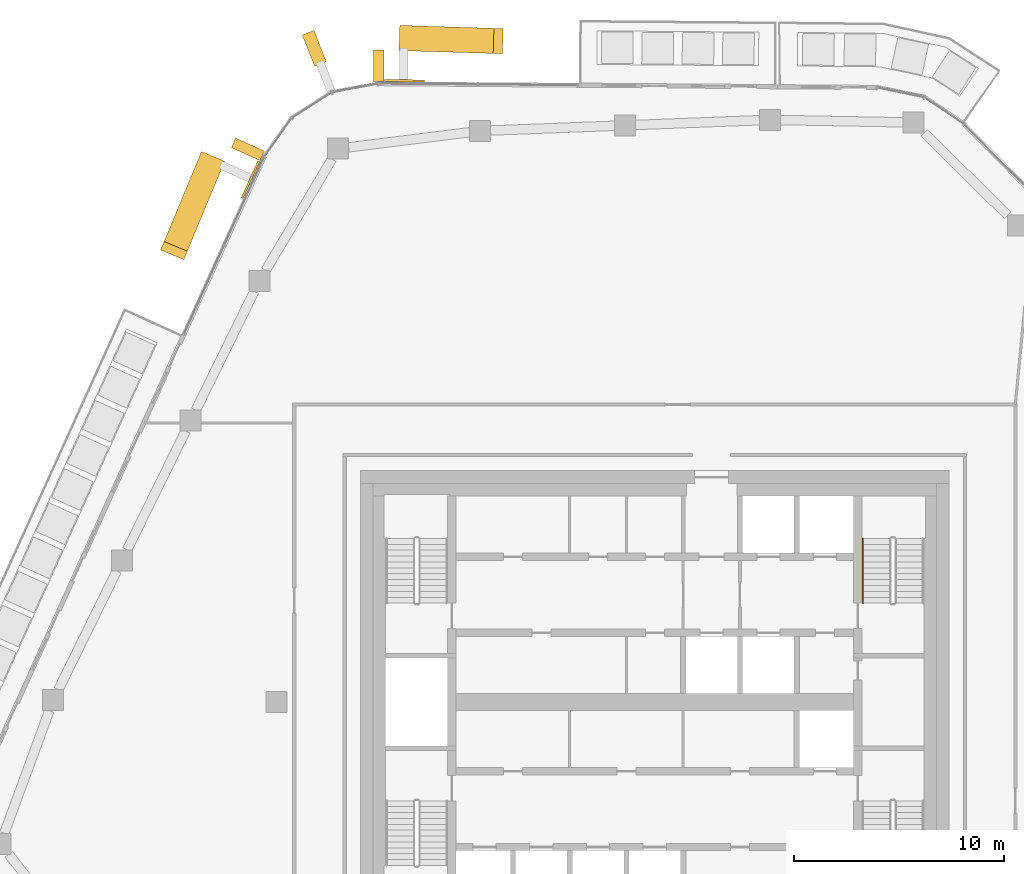
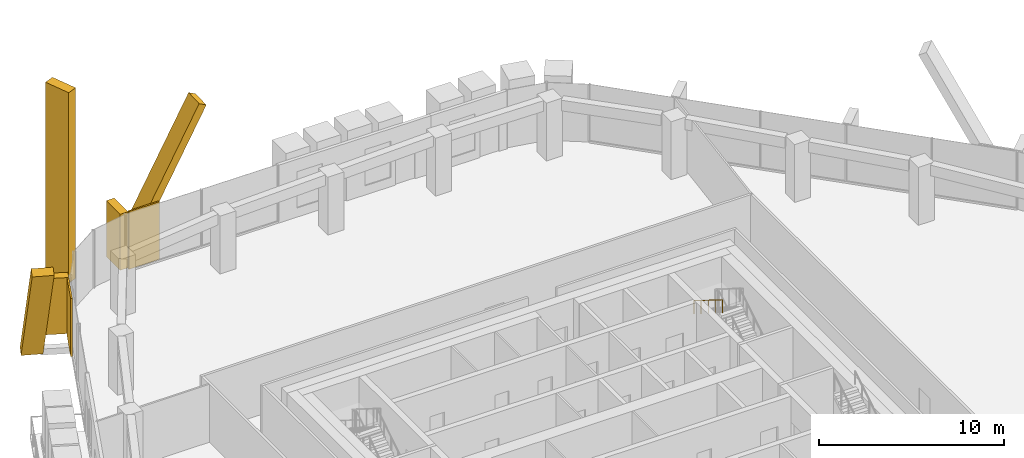
# One storey, part 21 of 23: 7 coverings, 1 railing, 3 elements without a shape of their own.
"""IFC4 building model written with IfcOpenShell, lengths in metres."""

from ifc_helpers import new_model, si_unit, direction, frame, origin, origin_2d, place, context, subcontext, project, spatial, rectangle, circle, extrude, material, layer, layer_set, material_profile, profile_set, type_object, element, aggregate, save


model = new_model("IFC4")

# Units and contexts
model_context = context("Model", 3, precision=1e-05, world=origin(), true_north=direction((0.0, 1.0)))
body_context = subcontext(model_context, "Body", "Model", "MODEL_VIEW")
ifc_project = project(units=[si_unit("LENGTHUNIT", "METRE"), si_unit("AREAUNIT", "SQUARE_METRE"), si_unit("VOLUMEUNIT", "CUBIC_METRE"), si_unit("PLANEANGLEUNIT", "RADIAN"), si_unit("MASSUNIT", "GRAM", prefix="KILO")], contexts=[model_context])

# Site, building, storey
site_placement = place(None, origin())
site = spatial("IfcSite", under=ifc_project, at=site_placement, CompositionType="ELEMENT")
building_placement = place(site_placement, origin())
building = spatial("IfcBuilding", under=site, at=building_placement, Name="Dongbaek Canopy Tower", CompositionType="ELEMENT")
storey_placement = place(building_placement, frame((0.0, 0.0, 319.39990234375)))
storey = spatial("IfcBuildingStorey", under=building, at=storey_placement, Name="L68", CompositionType="ELEMENT", Elevation=319.39990234375)

# Curtain wall, covering
ifc_material_1 = material(Name="Aluminium 6063-T6 pale anodised", Category="aluminium")
ifc_layer_1 = layer(ifc_material_1, 0.199951171875)
ifc_layer_set_1 = layer_set([ifc_layer_1], Name="CW-1 unitised tower curtain wall")
curtain_wall_type = type_object("IfcCurtainWallType", Name="CW-1 unitised tower curtain wall", PredefinedType="NOTDEFINED", material=ifc_layer_set_1)
curtain_wall_1_placement = place(storey_placement, origin())
curtain_wall_1 = element("IfcCurtainWall", 1, at=curtain_wall_1_placement, inside=storey, type_object=curtain_wall_type, Name="CW-1 curtain wall K2.1", PredefinedType="NOTDEFINED")
ifc_material_2 = material(Name="Aluminium 6063-T6 pale metal fin", Category="aluminium")
ifc_material_profile_1 = material_profile(ifc_material_2, rectangle(XDim=1.60009765625, YDim=0.60009765625, at=origin_2d()), Name="Corner fin CN1 600 x 1600 pale metal")
ifc_profile_set_1 = profile_set([ifc_material_profile_1], Name="Aluminium 6063-T6 pale metal fin")
covering_type_1 = type_object("IfcCoveringType", Name="Corner fin CN1 600 x 1600 pale metal", PredefinedType="CLADDING", material=ifc_profile_set_1)
covering_1_placement = place(storey_placement, frame((-16.19921875, 31.093505859375, -0.18994140625), z_axis=(0.0, 0.0, 1.0), x_axis=(-0.367962270469, 0.929840721582, 0.0)))
covering_1 = element("IfcCovering", 2, at=covering_1_placement, type_object=covering_type_1, Name="Corner fin L68 L70 K2", PredefinedType="CLADDING", context=body_context, shape_type="SweptSolid", body=[
    extrude(rectangle(XDim=1.60009765625, YDim=0.60009765625, at=origin_2d()), origin(), (0.0, 0.0, 1.0), 12.580078125),
])
aggregate(curtain_wall_1, [covering_1])

curtain_wall_2_placement = place(storey_placement, origin())
curtain_wall_2 = element("IfcCurtainWall", 3, at=curtain_wall_2_placement, inside=storey, type_object=curtain_wall_type, Name="CW-1 curtain wall F1.1", PredefinedType="NOTDEFINED")
ifc_material_3 = material(Name="Aluminium 6063-T6 pale metal fin", Category="aluminium")
ifc_material_profile_2 = material_profile(ifc_material_3, rectangle(XDim=1.199951171875, YDim=0.5, at=origin_2d()), Name="Crease fin CF1 500 x 1200 pale metal")
ifc_profile_set_2 = profile_set([ifc_material_profile_2], Name="Aluminium 6063-T6 pale metal fin")
covering_type_2 = type_object("IfcCoveringType", Name="Crease fin CF1 500 x 1200 pale metal", PredefinedType="CLADDING", material=ifc_profile_set_2)
covering_2_placement = place(storey_placement, frame((-11.928466796875, 31.578369140625, -0.18994140625), z_axis=(0.470391263064, -0.014463319652, 0.882339431295), x_axis=(0.030732900013, 0.999527632863, 0.0)))
covering_2 = element("IfcCovering", 4, at=covering_2_placement, type_object=covering_type_2, Name="Crease fin L68 L70 F1", PredefinedType="CLADDING", context=body_context, shape_type="SweptSolid", body=[
    extrude(rectangle(XDim=1.199951171875, YDim=0.5, at=origin_2d()), origin(), (0.0, 0.0, 1.0), 9.520263671875),
])

curtain_wall_3_placement = place(storey_placement, origin())
curtain_wall_3 = element("IfcCurtainWall", 5, at=curtain_wall_3_placement, inside=storey, type_object=curtain_wall_type, Name="CW-1 curtain wall F2.1", PredefinedType="NOTDEFINED")
covering_3_placement = place(storey_placement, frame((-21.096923828125, 25.753662109375, -0.18994140625), z_axis=(-0.185045043173, -0.446327015573, 0.875528712931), x_axis=(0.923754838357, -0.382984332071, 0.0)))
covering_3 = element("IfcCovering", 6, at=covering_3_placement, type_object=covering_type_2, Name="Crease fin L68 L70 F2", PredefinedType="CLADDING", context=body_context, shape_type="SweptSolid", body=[
    extrude(rectangle(XDim=1.199951171875, YDim=0.5, at=origin_2d()), origin(), (0.0, 0.0, 1.0), 9.594482421875),
])

# Covering
ifc_material_4 = material(Name="Perforated aluminium 6063-T6 pale metal screen", Category="aluminium")
ifc_layer_2 = layer(ifc_material_4, 0.10009765625)
ifc_layer_set_2 = layer_set([ifc_layer_2], Name="Facet screen FS1 100 pale metal")
covering_type_3 = type_object("IfcCoveringType", Name="Facet screen FS1 100 pale metal", PredefinedType="CLADDING", material=ifc_layer_set_2)
covering_4_placement = place(storey_placement, frame((-11.8994140625, 29.55126953125, 0.0), z_axis=(0.0, 0.0, 1.0), x_axis=(-0.999969717098, 0.007782344576, 0.0)))
covering_4 = element("IfcCovering", 7, at=covering_4_placement, type_object=covering_type_3, Name="Facet screen L68 F1", PredefinedType="CLADDING", context=body_context, shape_type="SweptSolid", body=[
    extrude(rectangle(XDim=1.90869140625, YDim=0.10009765625, at=origin_2d()), origin(), (0.0, 0.0, 1.0), 3.820068359375),
])

covering_5_placement = place(storey_placement, frame((-19.232421875, 24.849853515625, 0.0), z_axis=(0.0, 0.0, 1.0), x_axis=(-0.41212191404, -0.911128710978, 0.0)))
covering_5 = element("IfcCovering", 8, at=covering_5_placement, type_object=covering_type_3, Name="Facet screen L68 F2", PredefinedType="CLADDING", context=body_context, shape_type="SweptSolid", body=[
    extrude(rectangle(XDim=1.940673828125, YDim=0.10009765625, at=origin_2d()), origin(), (0.0, 0.0, 1.0), 3.820068359375),
])

ifc_material_5 = material(Name="Aluminium 6063-T6 pale metal fin", Category="aluminium")
ifc_material_profile_3 = material_profile(ifc_material_5, rectangle(XDim=1.5, YDim=0.5, at=origin_2d()), Name="Fin FN1 500 x 1500 pale metal")
ifc_profile_set_3 = profile_set([ifc_material_profile_3], Name="Aluminium 6063-T6 pale metal fin")
covering_type_4 = type_object("IfcCoveringType", Name="Fin FN1 500 x 1500 pale metal", PredefinedType="CLADDING", material=ifc_profile_set_3)
covering_6_placement = place(storey_placement, frame((-13.13818359375, 30.264892578125, 0.1201171875), z_axis=(0.0, 0.0, 1.0), x_axis=(0.007781807363, 0.999969721279, 0.0)))
covering_6 = element("IfcCovering", 9, at=covering_6_placement, type_object=covering_type_4, Name="Fin F1.1.3", PredefinedType="CLADDING", context=body_context, shape_type="SweptSolid", body=[
    extrude(rectangle(XDim=1.5, YDim=0.5, at=origin_2d()), origin(), (0.0, 0.0, 1.0), 3.699951171875),
])

aggregate(curtain_wall_2, [covering_6, covering_2, covering_4])

covering_7_placement = place(storey_placement, frame((-19.3544921875, 26.288330078125, 0.1201171875), z_axis=(0.0, 0.0, 1.0), x_axis=(-0.911128562459, 0.412122242389, 0.0)))
covering_7 = element("IfcCovering", 10, at=covering_7_placement, type_object=covering_type_4, Name="Fin F2.1.1", PredefinedType="CLADDING", context=body_context, shape_type="SweptSolid", body=[
    extrude(rectangle(XDim=1.5, YDim=0.5, at=origin_2d()), origin(), (0.0, 0.0, 1.0), 3.699951171875),
])

aggregate(curtain_wall_3, [covering_7, covering_3, covering_5])

# Railing
ifc_material_6 = material(Name="Stainless steel tube", Category="steel")
railing_type = type_object("IfcRailingType", Name="Stair handrail 900", PredefinedType="HANDRAIL", material=ifc_material_6)
railing_placement = place(storey_placement, frame((9.89990234375, 7.780029296875, 2.275146484375)))
element("IfcRailing", 11, at=railing_placement, inside=storey, type_object=railing_type, Name="L68 ST-A stair handrail 2", PredefinedType="HANDRAIL", context=body_context, shape_type="SweptSolid", body=[
    extrude(circle(Radius=0.02392578125, at=origin_2d()), frame((0.0, 0.0, 0.8759765625), z_axis=(0.0, -0.847998304005, 0.529998940003), x_axis=(1.0, 0.0, 0.0)), (0.0, 0.0, 1.0), 3.632080078125),
    extrude(circle(Radius=0.02099609375, at=origin_2d()), origin(), (0.0, 0.0, 1.0), 0.851806640625),
    extrude(circle(Radius=0.02099609375, at=origin_2d()), frame((0.0, -0.77001953125, 0.481201171875)), (0.0, 0.0, 1.0), 0.851806640625),
    extrude(circle(Radius=0.02099609375, at=origin_2d()), frame((0.0, -1.5400390625, 0.96240234375)), (0.0, 0.0, 1.0), 0.851806640625),
    extrude(circle(Radius=0.02099609375, at=origin_2d()), frame((0.0, -2.31005859375, 1.44384765625)), (0.0, 0.0, 1.0), 0.851806640625),
    extrude(circle(Radius=0.02099609375, at=origin_2d()), frame((0.0, -3.080078125, 1.925048828125)), (0.0, 0.0, 1.0), 0.851806640625),
])

save(model, "model.ifc")
